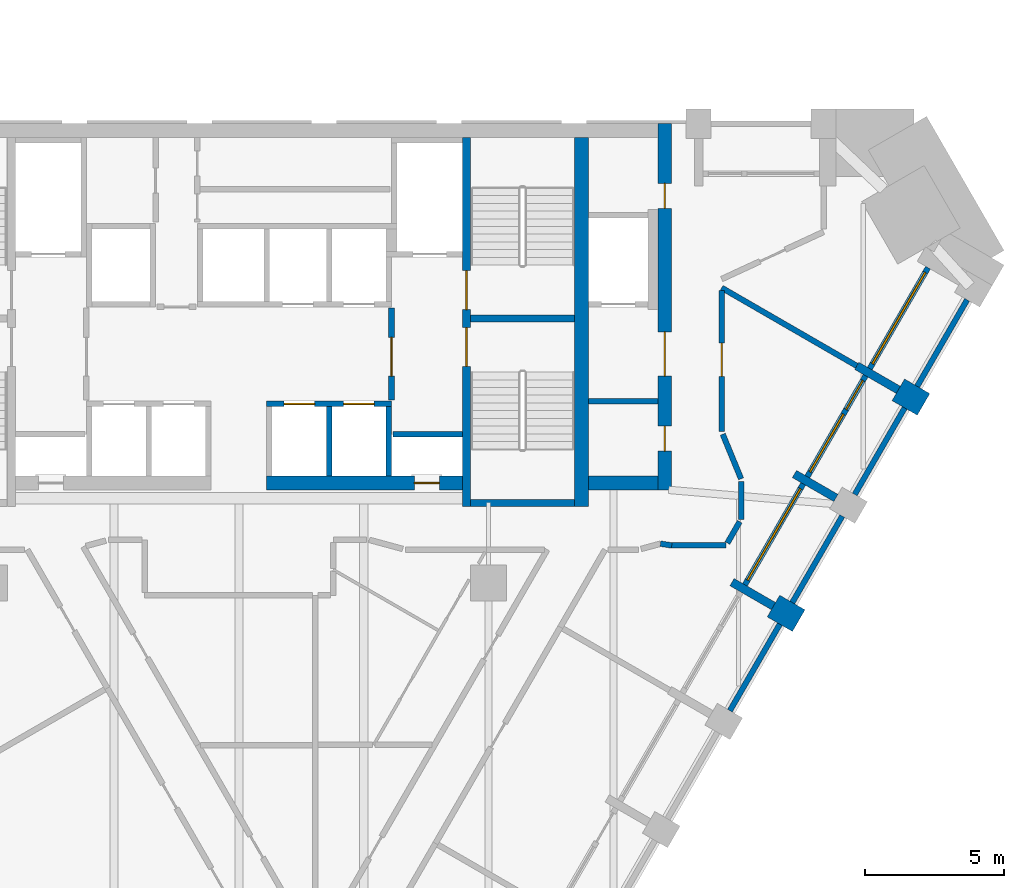
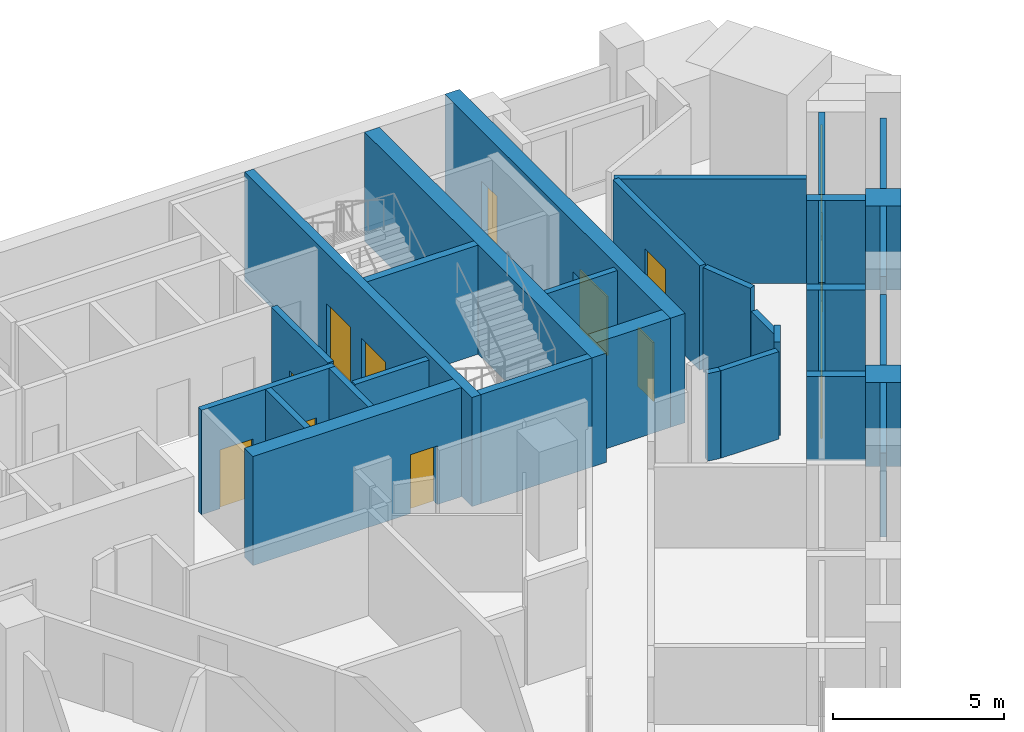
# One storey, part 7 of 10: 32 walls, 11 doors, 3 windows, 14 openings.
"""IFC4 building model written with IfcOpenShell, lengths in metres."""

from ifc_helpers import new_model, si_unit, direction, frame, frame_2d, origin, place, context, subcontext, project, spatial, rectangle, extrude, material, layer, layer_set, type_object, element, fill, save


model = new_model("IFC4")

# Units and contexts
model_context = context("Model", 3, precision=1e-05, world=origin(), true_north=direction((0.0, 1.0)))
body_context = subcontext(model_context, "Body", "Model", "MODEL_VIEW")
ifc_project = project(units=[si_unit("LENGTHUNIT", "METRE"), si_unit("AREAUNIT", "SQUARE_METRE"), si_unit("VOLUMEUNIT", "CUBIC_METRE"), si_unit("PLANEANGLEUNIT", "RADIAN"), si_unit("MASSUNIT", "GRAM", prefix="KILO")], contexts=[model_context])

# Site, building, storey
site_placement = place(None, origin())
site = spatial("IfcSite", under=ifc_project, at=site_placement, CompositionType="ELEMENT")
building_placement = place(site_placement, origin())
building = spatial("IfcBuilding", under=site, at=building_placement, Name="Calabash Gate Tower", CompositionType="ELEMENT")
storey_placement = place(building_placement, frame((0.0, 0.0, 187.5)))
storey = spatial("IfcBuildingStorey", under=building, at=storey_placement, Name="L44", CompositionType="ELEMENT", Elevation=187.5)

# Walls
ifc_material_1 = material(Name="Terracotta brick masonry, exposed face", Category="masonry")
ifc_layer_1 = layer(ifc_material_1, 1.050048828125)
ifc_layer_set_1 = layer_set([ifc_layer_1], Name="Brick end wall 1050")
wall_type_1 = type_object("IfcWallType", Name="Brick end wall 1050", PredefinedType="SOLIDWALL", material=ifc_layer_set_1)
for number, where, z_axis, x_axis, name in (
    (1, (19.26708984375, 1.665771484375, 0.0), (0.0, 0.0, 1.0), (0.866030680601, -0.499990860175, 0.0), "Brick pier S12 SE4.5"),
    (2, (24.67626953125, 8.93505859375, 0.0), (0.0, 0.0, 1.0), (-0.866030680601, 0.499990860175, 0.0), "Brick pier S12 SE4.7"),
):
    element("IfcWall", number, at=place(storey_placement, frame(where, z_axis=z_axis, x_axis=x_axis)), inside=storey, type_object=wall_type_1, Name=name, PredefinedType="SOLIDWALL", context=body_context, shape_type="SweptSolid", body=[
        extrude(rectangle(XDim=1.0498046875, YDim=0.89990234375, at=frame_2d((0.52490234375, 0.0))), origin(), (0.0, 0.0, 1.0), 3.0),
    ])
ifc_material_2 = material(Name="Terracotta brick masonry, exposed face", Category="masonry")
ifc_layer_2 = layer(ifc_material_2, 0.300048828125)
ifc_layer_set_2 = layer_set([ifc_layer_2], Name="Brick loggia cheek wall 300")
wall_type_2 = type_object("IfcWallType", Name="Brick loggia cheek wall 300", PredefinedType="SOLIDWALL", material=ifc_layer_set_2)
wall_1_placement = place(storey_placement, frame((19.26708984375, 1.665771484375, 0.0), z_axis=(0.0, 0.0, 1.0), x_axis=(-0.866013532718, 0.500020560727, 0.0)))
element("IfcWall", 3, at=wall_1_placement, inside=storey, type_object=wall_type_2, Name="Loggia cheek S12 SE4.5", PredefinedType="SOLIDWALL", context=body_context, shape_type="SweptSolid", body=[
    extrude(rectangle(XDim=1.72509765625, YDim=0.300048828125, at=frame_2d((0.862548828125, 0.0))), origin(), (0.0, 0.0, 1.0), 3.0),
])
wall_2_placement = place(storey_placement, frame((21.51708984375, 5.56298828125, 0.0), z_axis=(0.0, 0.0, 1.0), x_axis=(-0.866013532718, 0.500020560727, 0.0)))
element("IfcWall", 4, at=wall_2_placement, inside=storey, type_object=wall_type_2, Name="Loggia cheek S12 SE4.6", PredefinedType="SOLIDWALL", context=body_context, shape_type="SweptSolid", body=[
    extrude(rectangle(XDim=1.72509765625, YDim=0.300048828125, at=frame_2d((0.862548828125, 0.0))), origin(), (0.0, 0.0, 1.0), 2.9501953125),
])
wall_3_placement = place(storey_placement, frame((23.76708984375, 9.4599609375, 0.0), z_axis=(0.0, 0.0, 1.0), x_axis=(-0.866013532718, 0.500020560727, 0.0)))
element("IfcWall", 5, at=wall_3_placement, inside=storey, type_object=wall_type_2, Name="Loggia cheek S12 SE4.7", PredefinedType="SOLIDWALL", context=body_context, shape_type="SweptSolid", body=[
    extrude(rectangle(XDim=1.72509765625, YDim=0.300048828125, at=frame_2d((0.862548828125, 0.0))), origin(), (0.0, 0.0, 1.0), 3.0),
])
ifc_material_3 = material(Name="Gypsum board on steel studs, mineral wool", Category="steel")
ifc_layer_3 = layer(ifc_material_3, 0.199951171875)
ifc_layer_set_3 = layer_set([ifc_layer_3], Name="Core partition 200 gypsum board")
wall_type_3 = type_object("IfcWallType", Name="Core partition 200 gypsum board", PredefinedType="PARTITIONING", material=ifc_layer_set_3)
wall_4_placement = place(storey_placement, frame((12.60009765625, 9.052490234375, 0.0), z_axis=(0.0, 0.0, 1.0), x_axis=(1.0, 0.0, 0.0)))
element("IfcWall", 6, at=wall_4_placement, inside=storey, type_object=wall_type_3, Name="Core partition", PredefinedType="PARTITIONING", context=body_context, shape_type="SweptSolid", body=[
    extrude(rectangle(XDim=2.5, YDim=0.199951171875, at=frame_2d((1.25, 0.0))), origin(), (0.0, 0.0, 1.0), 3.72998046875),
])
ifc_material_4 = material(Name="Concrete C70/85", Category="concrete")
ifc_layer_4 = layer(ifc_material_4, 0.25)
ifc_layer_set_4 = layer_set([ifc_layer_4], Name="Core wall 250 Concrete C70/85")
wall_type_4 = type_object("IfcWallType", Name="Core wall 250 Concrete C70/85", PredefinedType="SHEAR", material=ifc_layer_set_4)
for number, where, z_axis, x_axis, name in (
    (7, (8.35009765625, 12.027587890625, 0.0), (0.0, 0.0, 1.0), (1.0, 0.0, 0.0), "Core wall Z3-MIDE L44"),
    (8, (8.35009765625, 5.377685546875, 0.0), (0.0, 0.0, 1.0), (1.0, 0.0, 0.0), "Core wall Z3-SSE L44"),
):
    element("IfcWall", number, at=place(storey_placement, frame(where, z_axis=z_axis, x_axis=x_axis)), inside=storey, type_object=wall_type_4, Name=name, PredefinedType="SHEAR", context=body_context, shape_type="SweptSolid", body=[
        extrude(rectangle(XDim=3.75, YDim=0.25, at=frame_2d((1.875, 0.0))), origin(), (0.0, 0.0, 1.0), 3.89990234375),
    ])

# Wall, openings, doors
ifc_material_5 = material(Name="Concrete C70/85", Category="concrete")
ifc_layer_5 = layer(ifc_material_5, 0.300048828125)
ifc_layer_set_5 = layer_set([ifc_layer_5], Name="Core wall 300 Concrete C70/85")
wall_type_5 = type_object("IfcWallType", Name="Core wall 300 Concrete C70/85", PredefinedType="SHEAR", material=ifc_layer_set_5)
wall_5_placement = place(storey_placement, frame((8.199951171875, 5.252685546875, 0.0), z_axis=(0.0, 0.0, 1.0), x_axis=(0.0, 1.0, 0.0)))
wall_5 = element("IfcWall", 9, at=wall_5_placement, inside=storey, type_object=wall_type_5, Name="Core wall Z3-PARTE L44", PredefinedType="SHEAR", context=body_context, shape_type="SweptSolid", body=[
    extrude(rectangle(XDim=13.2998046875, YDim=0.300048828125, at=frame_2d((6.64990234375, 0.0))), origin(), (0.0, 0.0, 1.0), 3.89990234375),
])
opening_1_placement = place(wall_5_placement, frame((7.10009765625, 0.0, 0.0)))
opening_1 = element("IfcOpeningElement", 10, at=opening_1_placement, cuts=wall_5, Name="Opening O4-017", PredefinedType="OPENING", context=body_context, shape_type="SweptSolid", body=[
    extrude(rectangle(XDim=1.39990234375, YDim=2.10009765625, at=frame_2d((0.699951171875, 1.050048828125))), frame((0.0, 0.159912109375, 0.0), z_axis=(0.0, -1.0, 0.0), x_axis=(1.0, 0.0, 0.0)), (0.0, 0.0, 1.0), 0.320068359375),
])
opening_2_placement = place(wall_5_placement, frame((5.050048828125, 0.0, 0.0)))
opening_2 = element("IfcOpeningElement", 11, at=opening_2_placement, cuts=wall_5, Name="Opening O4-018", PredefinedType="OPENING", context=body_context, shape_type="SweptSolid", body=[
    extrude(rectangle(XDim=1.39990234375, YDim=2.10009765625, at=frame_2d((0.699951171875, 1.050048828125))), frame((0.0, 0.159912109375, 0.0), z_axis=(0.0, -1.0, 0.0), x_axis=(1.0, 0.0, 0.0)), (0.0, 0.0, 1.0), 0.320068359375),
])
ifc_material_6 = material(Name="Steel fire door set with fire-resisting glazing", Category="steel")
door_type_1 = type_object("IfcDoorType", Name="Fire door D05 1400x2100 FD90", OperationType="NOTDEFINED", PredefinedType="DOOR", material=ifc_material_6)
door_1_placement = place(opening_1_placement, origin())
door_1 = element("IfcDoor", 12, at=door_1_placement, inside=storey, type_object=door_type_1, Name="Exit stair door ST3", OperationType="SINGLE_SWING_RIGHT", OverallHeight=2.10009765625, OverallWidth=1.39990234375, PredefinedType="DOOR", context=body_context, shape_type="SweptSolid", body=[
    extrude(rectangle(XDim=1.39990234375, YDim=2.10009765625, at=frame_2d((0.699951171875, 1.050048828125))), frame((0.0, 0.02490234375, 0.0), z_axis=(0.0, -1.0, 0.0), x_axis=(1.0, 0.0, 0.0)), (0.0, 0.0, 1.0), 0.050048828125),
])
fill(opening_1, door_1)
door_2_placement = place(opening_2_placement, origin())
door_2 = element("IfcDoor", 13, at=door_2_placement, inside=storey, type_object=door_type_1, Name="Exit stair door ST4", OperationType="SINGLE_SWING_LEFT", OverallHeight=2.10009765625, OverallWidth=1.39990234375, PredefinedType="DOOR", context=body_context, shape_type="SweptSolid", body=[
    extrude(rectangle(XDim=1.39990234375, YDim=2.10009765625, at=frame_2d((0.699951171875, 1.050048828125))), frame((0.0, 0.02490234375, 0.0), z_axis=(0.0, -1.0, 0.0), x_axis=(1.0, 0.0, 0.0)), (0.0, 0.0, 1.0), 0.050048828125),
])
fill(opening_2, door_2)

# Wall
ifc_material_7 = material(Name="Concrete C70/85", Category="concrete")
ifc_layer_6 = layer(ifc_material_7, 0.5)
ifc_layer_set_6 = layer_set([ifc_layer_6], Name="Core wall 500 Concrete C70/85")
wall_type_6 = type_object("IfcWallType", Name="Core wall 500 Concrete C70/85", PredefinedType="SHEAR", material=ifc_layer_set_6)
wall_6_placement = place(storey_placement, frame((12.35009765625, 5.252685546875, 0.0), z_axis=(0.0, 0.0, 1.0), x_axis=(0.0, 1.0, 0.0)))
element("IfcWall", 14, at=wall_6_placement, inside=storey, type_object=wall_type_6, Name="Core wall Z3-COLE L44", PredefinedType="SHEAR", context=body_context, shape_type="SweptSolid", body=[
    extrude(rectangle(XDim=13.2998046875, YDim=0.5, at=frame_2d((6.64990234375, 0.0))), origin(), (0.0, 0.0, 1.0), 3.89990234375),
])

# Wall, opening, door
wall_7_placement = place(storey_placement, frame((1.0, 6.1025390625, 0.0), z_axis=(0.0, 0.0, 1.0), x_axis=(1.0, 0.0, 0.0)))
wall_7 = element("IfcWall", 15, at=wall_7_placement, inside=storey, type_object=wall_type_6, Name="Core wall Z3-SB L44", PredefinedType="SHEAR", context=body_context, shape_type="SweptSolid", body=[
    extrude(rectangle(XDim=7.050048828125, YDim=0.5, at=frame_2d((3.52490234375, 0.0))), origin(), (0.0, 0.0, 1.0), 3.89990234375),
])
opening_3_placement = place(wall_7_placement, frame((5.324951171875, 0.0, 0.0)))
opening_3 = element("IfcOpeningElement", 16, at=opening_3_placement, cuts=wall_7, Name="Opening O4-013", PredefinedType="OPENING", context=body_context, shape_type="SweptSolid", body=[
    extrude(rectangle(XDim=0.89990234375, YDim=2.10009765625, at=frame_2d((0.449951171875, 1.050048828125))), frame((0.0, 0.260009765625, 0.0), z_axis=(0.0, -1.0, 0.0), x_axis=(1.0, 0.0, 0.0)), (0.0, 0.0, 1.0), 0.52001953125),
])
ifc_material_8 = material(Name="Steel fire door set with fire-resisting glazing", Category="steel")
door_type_2 = type_object("IfcDoorType", Name="Fire door D07 900x2100 FD90", OperationType="NOTDEFINED", PredefinedType="DOOR", material=ifc_material_8)
door_3_placement = place(opening_3_placement, origin())
door_3 = element("IfcDoor", 17, at=door_3_placement, inside=storey, type_object=door_type_2, Name="Mechanical Riser E door", OperationType="SINGLE_SWING_RIGHT", OverallHeight=2.10009765625, OverallWidth=0.89990234375, PredefinedType="DOOR", context=body_context, shape_type="SweptSolid", body=[
    extrude(rectangle(XDim=0.89990234375, YDim=2.10009765625, at=frame_2d((0.449951171875, 1.050048828125))), frame((0.0, 0.02490234375, 0.0), z_axis=(0.0, -1.0, 0.0), x_axis=(1.0, 0.0, 0.0)), (0.0, 0.0, 1.0), 0.050048828125),
])
fill(opening_3, door_3)

# Wall
wall_8_placement = place(storey_placement, frame((12.60009765625, 6.1025390625, 0.0), z_axis=(0.0, 0.0, 1.0), x_axis=(1.0, 0.0, 0.0)))
element("IfcWall", 18, at=wall_8_placement, inside=storey, type_object=wall_type_6, Name="Core wall Z3-SE L44", PredefinedType="SHEAR", context=body_context, shape_type="SweptSolid", body=[
    extrude(rectangle(XDim=2.5, YDim=0.5, at=frame_2d((1.25, 0.0))), origin(), (0.0, 0.0, 1.0), 3.89990234375),
])

# Wall, openings, doors
wall_9_placement = place(storey_placement, frame((15.35009765625, 5.8525390625, 0.0), z_axis=(0.0, 0.0, 1.0), x_axis=(0.0, 1.0, 0.0)))
wall_9 = element("IfcWall", 19, at=wall_9_placement, inside=storey, type_object=wall_type_6, Name="Core wall Z3-ENDE L44", PredefinedType="SHEAR", context=body_context, shape_type="SweptSolid", body=[
    extrude(rectangle(XDim=13.199951171875, YDim=0.5, at=frame_2d((6.60009765625, 0.0))), origin(), (0.0, 0.0, 1.0), 3.89990234375),
])
opening_4_placement = place(wall_9_placement, frame((4.10009765625, 0.0, 0.0)))
opening_4 = element("IfcOpeningElement", 20, at=opening_4_placement, cuts=wall_9, Name="Opening O4-003", PredefinedType="OPENING", context=body_context, shape_type="SweptSolid", body=[
    extrude(rectangle(XDim=1.60009765625, YDim=2.10009765625, at=frame_2d((0.800048828125, 1.050048828125))), frame((0.0, 0.260009765625, 0.0), z_axis=(0.0, -1.0, 0.0), x_axis=(1.0, 0.0, 0.0)), (0.0, 0.0, 1.0), 0.52001953125),
])
opening_5_placement = place(wall_9_placement, frame((1.39990234375, 0.0, 0.0)))
opening_5 = element("IfcOpeningElement", 21, at=opening_5_placement, cuts=wall_9, Name="Opening O4-001", PredefinedType="OPENING", context=body_context, shape_type="SweptSolid", body=[
    extrude(rectangle(XDim=0.89990234375, YDim=2.10009765625, at=frame_2d((0.449951171875, 1.050048828125))), frame((0.0, 0.260009765625, 0.0), z_axis=(0.0, -1.0, 0.0), x_axis=(1.0, 0.0, 0.0)), (0.0, 0.0, 1.0), 0.52001953125),
])
opening_6_placement = place(wall_9_placement, frame((10.14990234375, 0.0, 0.0)))
opening_6 = element("IfcOpeningElement", 22, at=opening_6_placement, cuts=wall_9, Name="Opening O4-002", PredefinedType="OPENING", context=body_context, shape_type="SweptSolid", body=[
    extrude(rectangle(XDim=0.89990234375, YDim=2.10009765625, at=frame_2d((0.449951171875, 1.050048828125))), frame((0.0, 0.260009765625, 0.0), z_axis=(0.0, -1.0, 0.0), x_axis=(1.0, 0.0, 0.0)), (0.0, 0.0, 1.0), 0.52001953125),
])
ifc_material_9 = material(Name="Steel fire door set with fire-resisting glazing", Category="steel")
door_type_3 = type_object("IfcDoorType", Name="Double fire door D08 1600x2100 FD60", OperationType="DOUBLE_DOOR_SINGLE_SWING", PredefinedType="DOOR", material=ifc_material_9)
door_4_placement = place(opening_4_placement, origin())
door_4 = element("IfcDoor", 23, at=door_4_placement, inside=storey, type_object=door_type_3, Name="Service Lift Lobby E door", OperationType="DOUBLE_DOOR_SINGLE_SWING", OverallHeight=2.10009765625, OverallWidth=1.60009765625, PredefinedType="DOOR", context=body_context, shape_type="SweptSolid", body=[
    extrude(rectangle(XDim=1.60009765625, YDim=2.10009765625, at=frame_2d((0.800048828125, 1.050048828125))), frame((0.0, 0.02490234375, 0.0), z_axis=(0.0, -1.0, 0.0), x_axis=(1.0, 0.0, 0.0)), (0.0, 0.0, 1.0), 0.050048828125),
])
fill(opening_4, door_4)
ifc_material_10 = material(Name="Steel fire door set with fire-resisting glazing", Category="steel")
door_type_4 = type_object("IfcDoorType", Name="Fire door D06 900x2100 FD60", OperationType="NOTDEFINED", PredefinedType="DOOR", material=ifc_material_10)
door_5_placement = place(opening_5_placement, origin())
door_5 = element("IfcDoor", 24, at=door_5_placement, inside=storey, type_object=door_type_4, Name="Tenant Pantry door", OperationType="SINGLE_SWING_RIGHT", OverallHeight=2.10009765625, OverallWidth=0.89990234375, PredefinedType="DOOR", context=body_context, shape_type="SweptSolid", body=[
    extrude(rectangle(XDim=0.89990234375, YDim=2.10009765625, at=frame_2d((0.449951171875, 1.050048828125))), frame((0.0, 0.02490234375, 0.0), z_axis=(0.0, -1.0, 0.0), x_axis=(1.0, 0.0, 0.0)), (0.0, 0.0, 1.0), 0.050048828125),
])
fill(opening_5, door_5)
door_6_placement = place(opening_6_placement, origin())
door_6 = element("IfcDoor", 25, at=door_6_placement, inside=storey, type_object=door_type_4, Name="Cleaner's Store door", OperationType="SINGLE_SWING_LEFT", OverallHeight=2.10009765625, OverallWidth=0.89990234375, PredefinedType="DOOR", context=body_context, shape_type="SweptSolid", body=[
    extrude(rectangle(XDim=0.89990234375, YDim=2.10009765625, at=frame_2d((0.449951171875, 1.050048828125))), frame((0.0, 0.02490234375, 0.0), z_axis=(0.0, -1.0, 0.0), x_axis=(1.0, 0.0, 0.0)), (0.0, 0.0, 1.0), 0.050048828125),
])
fill(opening_6, door_6)

# Walls
ifc_material_11 = material(Name="Gypsum board on steel studs, mineral wool", Category="steel")
ifc_layer_7 = layer(ifc_material_11, 0.199951171875)
ifc_layer_set_7 = layer_set([ifc_layer_7], Name="Partition 200 gypsum board EI 60")
wall_type_7 = type_object("IfcWallType", Name="Partition 200 gypsum board EI 60", PredefinedType="PARTITIONING", material=ifc_layer_set_7)
wall_10_placement = place(storey_placement, frame((15.193359375, 3.91455078125, 0.0), z_axis=(0.0, 0.0, 1.0), x_axis=(0.988399116328, -0.15187885581, 0.0)))
element("IfcWall", 26, at=wall_10_placement, inside=storey, type_object=wall_type_7, Name="Partition", PredefinedType="PARTITIONING", context=body_context, shape_type="SweptSolid", body=[
    extrude(rectangle(XDim=0.41162109375, YDim=0.199951171875, at=frame_2d((0.205810546875, 0.0))), origin(), (0.0, 0.0, 1.0), 3.1279296875),
])
wall_11_placement = place(storey_placement, frame((15.60009765625, 3.85205078125, 0.0), z_axis=(0.0, 0.0, 1.0), x_axis=(1.0, 0.0, 0.0)))
element("IfcWall", 27, at=wall_11_placement, inside=storey, type_object=wall_type_7, Name="Partition", PredefinedType="PARTITIONING", context=body_context, shape_type="SweptSolid", body=[
    extrude(rectangle(XDim=1.956298828125, YDim=0.199951171875, at=frame_2d((0.97802734375, 0.0))), origin(), (0.0, 0.0, 1.0), 3.1279296875),
])
wall_12_placement = place(storey_placement, frame((17.606201171875, 3.938720703125, 0.0), z_axis=(0.0, 0.0, 1.0), x_axis=(0.500071473339, 0.8659841347, 0.0)))
element("IfcWall", 28, at=wall_12_placement, inside=storey, type_object=wall_type_7, Name="Partition", PredefinedType="PARTITIONING", context=body_context, shape_type="SweptSolid", body=[
    extrude(rectangle(XDim=0.887939453125, YDim=0.199951171875, at=frame_2d((0.44384765625, 0.0))), origin(), (0.0, 0.0, 1.0), 3.33154296875),
])
wall_13_placement = place(storey_placement, frame((18.1005859375, 4.794189453125, 0.0), z_axis=(0.0, 0.0, 1.0), x_axis=(0.0, 1.0, 0.0)))
element("IfcWall", 29, at=wall_13_placement, inside=storey, type_object=wall_type_7, Name="Partition", PredefinedType="PARTITIONING", context=body_context, shape_type="SweptSolid", body=[
    extrude(rectangle(XDim=1.3583984375, YDim=0.199951171875, at=frame_2d((0.67919921875, 0.0))), origin(), (0.0, 0.0, 1.0), 2.9501953125),
])
wall_14_placement = place(storey_placement, frame((17.438720703125, 7.860107421875, 0.0), z_axis=(0.0, 0.0, 1.0), x_axis=(0.380742741509, -0.924681007044, 0.0)))
element("IfcWall", 30, at=wall_14_placement, inside=storey, type_object=wall_type_7, Name="Partition", PredefinedType="PARTITIONING", context=body_context, shape_type="SweptSolid", body=[
    extrude(rectangle(XDim=1.73828125, YDim=0.199951171875, at=frame_2d((0.869140625, 0.0))), origin(), (0.0, 0.0, 1.0), 3.72998046875),
])

# Wall, opening, door
wall_15_placement = place(storey_placement, frame((17.400390625, 7.95263671875, 0.0), z_axis=(0.0, 0.0, 1.0), x_axis=(0.000336263612, 0.999999943463, 0.0)))
wall_15 = element("IfcWall", 31, at=wall_15_placement, inside=storey, type_object=wall_type_7, Name="Partition", PredefinedType="PARTITIONING", context=body_context, shape_type="SweptSolid", body=[
    extrude(rectangle(XDim=5.082275390625, YDim=0.199951171875, at=frame_2d((2.541015625, 0.0))), origin(), (0.0, 0.0, 1.0), 3.72998046875),
])
opening_7_placement = place(wall_15_placement, frame((1.992431640625, 0.0, 0.0)))
opening_7 = element("IfcOpeningElement", 32, at=opening_7_placement, cuts=wall_15, Name="Opening 42-44-009", PredefinedType="OPENING", context=body_context, shape_type="SweptSolid", body=[
    extrude(rectangle(XDim=1.199951171875, YDim=2.39990234375, at=frame_2d((0.60009765625, 1.199951171875))), frame((0.0, 0.10986328125, 0.0), z_axis=(0.0, -1.0, 0.0), x_axis=(1.0, 0.0, 0.0)), (0.0, 0.0, 1.0), 0.219970703125),
])
ifc_material_12 = material(Name="Steel fire door set with fire-resisting glazing", Category="steel")
door_type_5 = type_object("IfcDoorType", Name="OD3 Boardroom door 1200x2400", OperationType="NOTDEFINED", PredefinedType="DOOR", material=ifc_material_12)
door_7_placement = place(opening_7_placement, origin())
door_7 = element("IfcDoor", 33, at=door_7_placement, inside=storey, type_object=door_type_5, Name="Boardroom door", OperationType="SINGLE_SWING_RIGHT", OverallHeight=2.39990234375, OverallWidth=1.199951171875, PredefinedType="DOOR", context=body_context, shape_type="SweptSolid", body=[
    extrude(rectangle(XDim=1.199951171875, YDim=2.39990234375, at=frame_2d((0.60009765625, 1.199951171875))), frame((0.0, 0.02490234375, 0.0), z_axis=(0.0, -1.0, 0.0), x_axis=(1.0, 0.0, 0.0)), (0.0, 0.0, 1.0), 0.050048828125),
])
fill(opening_7, door_7)

# Walls
wall_16_placement = place(storey_placement, frame((17.400634765625, 13.1376953125, 0.0), z_axis=(0.0, 0.0, 1.0), x_axis=(0.865889294905, -0.500235673427, 0.0)))
element("IfcWall", 34, at=wall_16_placement, inside=storey, type_object=wall_type_7, Name="Partition", PredefinedType="PARTITIONING", context=body_context, shape_type="SweptSolid", body=[
    extrude(rectangle(XDim=5.627197265625, YDim=0.199951171875, at=frame_2d((2.8134765625, 0.0))), origin(), (0.0, 0.0, 1.0), 3.72998046875),
])
ifc_material_13 = material(Name="Concrete C40/50", Category="concrete")
ifc_layer_8 = layer(ifc_material_13, 0.199951171875)
ifc_layer_set_8 = layer_set([ifc_layer_8], Name="Shaft wall 200 Concrete C40/50")
wall_type_8 = type_object("IfcWallType", Name="Shaft wall 200 Concrete C40/50", PredefinedType="SOLIDWALL", material=ifc_layer_set_8)
for number, where, z_axis, x_axis, name in (
    (35, (3.25, 6.3525390625, 0.0), (0.0, 0.0, 1.0), (0.0, 1.0, 0.0), "Shaft wall"),
    (36, (5.39990234375, 6.3525390625, 0.0), (0.0, 0.0, 1.0), (0.0, 1.0, 0.0), "Shaft wall"),
    (37, (5.550048828125, 7.8525390625, 0.0), (0.0, 0.0, 1.0), (1.0, 0.0, 0.0), "Shaft wall"),
):
    element("IfcWall", number, at=place(storey_placement, frame(where, z_axis=z_axis, x_axis=x_axis)), inside=storey, type_object=wall_type_8, Name=name, PredefinedType="SOLIDWALL", context=body_context, shape_type="SweptSolid", body=[
        extrude(rectangle(XDim=2.5, YDim=0.199951171875, at=frame_2d((1.25, 0.0))), origin(), (0.0, 0.0, 1.0), 3.72998046875),
    ])

# Wall, openings, doors
wall_17_placement = place(storey_placement, frame((1.0, 8.95263671875, 0.0), z_axis=(0.0, 0.0, 1.0), x_axis=(1.0, 0.0, 0.0)))
wall_17 = element("IfcWall", 38, at=wall_17_placement, inside=storey, type_object=wall_type_8, Name="Shaft wall", PredefinedType="SOLIDWALL", context=body_context, shape_type="SweptSolid", body=[
    extrude(rectangle(XDim=4.5, YDim=0.199951171875, at=frame_2d((2.25, 0.0))), origin(), (0.0, 0.0, 1.0), 3.72998046875),
])
opening_8_placement = place(wall_17_placement, frame((0.625, 0.0, 0.0)))
opening_8 = element("IfcOpeningElement", 39, at=opening_8_placement, cuts=wall_17, Name="Opening LD-HR3", PredefinedType="OPENING", context=body_context, shape_type="SweptSolid", body=[
    extrude(rectangle(XDim=1.10009765625, YDim=2.10009765625, at=frame_2d((0.550048828125, 1.050048828125))), frame((0.0, 0.10986328125, 0.0), z_axis=(0.0, -1.0, 0.0), x_axis=(1.0, 0.0, 0.0)), (0.0, 0.0, 1.0), 0.219970703125),
])
opening_9_placement = place(wall_17_placement, frame((2.77490234375, 0.0, 0.0)))
opening_9 = element("IfcOpeningElement", 40, at=opening_9_placement, cuts=wall_17, Name="Opening LD-HR4", PredefinedType="OPENING", context=body_context, shape_type="SweptSolid", body=[
    extrude(rectangle(XDim=1.10009765625, YDim=2.10009765625, at=frame_2d((0.550048828125, 1.050048828125))), frame((0.0, 0.10986328125, 0.0), z_axis=(0.0, -1.0, 0.0), x_axis=(1.0, 0.0, 0.0)), (0.0, 0.0, 1.0), 0.219970703125),
])
ifc_material_14 = material(Name="Stainless steel sliding door leaves", Category="steel")
door_type_6 = type_object("IfcDoorType", Name="Lift landing door LS1 1100x2100 FD90", OperationType="DOUBLE_DOOR_SLIDING", PredefinedType="DOOR", material=ifc_material_14)
door_8_placement = place(opening_8_placement, origin())
door_8 = element("IfcDoor", 41, at=door_8_placement, inside=storey, type_object=door_type_6, Name="Lift landing door HR3", OperationType="DOUBLE_DOOR_SLIDING", OverallHeight=2.10009765625, OverallWidth=1.10009765625, PredefinedType="DOOR", context=body_context, shape_type="SweptSolid", body=[
    extrude(rectangle(XDim=1.10009765625, YDim=2.10009765625, at=frame_2d((0.550048828125, 1.050048828125))), frame((0.0, 0.02490234375, 0.0), z_axis=(0.0, -1.0, 0.0), x_axis=(1.0, 0.0, 0.0)), (0.0, 0.0, 1.0), 0.050048828125),
])
fill(opening_8, door_8)
door_9_placement = place(opening_9_placement, origin())
door_9 = element("IfcDoor", 42, at=door_9_placement, inside=storey, type_object=door_type_6, Name="Lift landing door HR4", OperationType="DOUBLE_DOOR_SLIDING", OverallHeight=2.10009765625, OverallWidth=1.10009765625, PredefinedType="DOOR", context=body_context, shape_type="SweptSolid", body=[
    extrude(rectangle(XDim=1.10009765625, YDim=2.10009765625, at=frame_2d((0.550048828125, 1.050048828125))), frame((0.0, 0.02490234375, 0.0), z_axis=(0.0, -1.0, 0.0), x_axis=(1.0, 0.0, 0.0)), (0.0, 0.0, 1.0), 0.050048828125),
])
fill(opening_9, door_9)

# Wall, opening, door
wall_18_placement = place(storey_placement, frame((5.5, 9.1025390625, 0.0), z_axis=(0.0, 0.0, 1.0), x_axis=(0.0, 1.0, 0.0)))
wall_18 = element("IfcWall", 43, at=wall_18_placement, inside=storey, type_object=wall_type_8, Name="Shaft wall", PredefinedType="SOLIDWALL", context=body_context, shape_type="SweptSolid", body=[
    extrude(rectangle(XDim=3.300048828125, YDim=0.199951171875, at=frame_2d((1.64990234375, 0.0))), origin(), (0.0, 0.0, 1.0), 3.72998046875),
])
opening_10_placement = place(wall_18_placement, frame((0.85009765625, 0.0, 0.0)))
opening_10 = element("IfcOpeningElement", 44, at=opening_10_placement, cuts=wall_18, Name="Opening O4-008", PredefinedType="OPENING", context=body_context, shape_type="SweptSolid", body=[
    extrude(rectangle(XDim=1.39990234375, YDim=2.10009765625, at=frame_2d((0.699951171875, 1.050048828125))), frame((0.0, 0.10986328125, 0.0), z_axis=(0.0, -1.0, 0.0), x_axis=(1.0, 0.0, 0.0)), (0.0, 0.0, 1.0), 0.219970703125),
])
door_10_placement = place(opening_10_placement, origin())
door_10 = element("IfcDoor", 45, at=door_10_placement, inside=storey, type_object=door_type_1, Name="Firefighting Lobby E door", OperationType="SINGLE_SWING_LEFT", OverallHeight=2.10009765625, OverallWidth=1.39990234375, PredefinedType="DOOR", context=body_context, shape_type="SweptSolid", body=[
    extrude(rectangle(XDim=1.39990234375, YDim=2.10009765625, at=frame_2d((0.699951171875, 1.050048828125))), frame((0.0, 0.02490234375, 0.0), z_axis=(0.0, -1.0, 0.0), x_axis=(1.0, 0.0, 0.0)), (0.0, 0.0, 1.0), 0.050048828125),
])
fill(opening_10, door_10)

# Walls
ifc_material_15 = material(Name="Terracotta brick masonry, perforated", Category="masonry")
ifc_layer_9 = layer(ifc_material_15, 0.199951171875)
ifc_layer_set_9 = layer_set([ifc_layer_9], Name="Terracotta jaali screen B")
wall_type_9 = type_object("IfcWallType", Name="Terracotta jaali screen B", PredefinedType="SOLIDWALL", material=ifc_layer_set_9)
for number, where, z_axis, x_axis, name in (
    (46, (17.69677734375, -2.10400390625, 0.0), (0.0, 0.0, 1.0), (0.499961193289, 0.866047807691, 0.0), "SCREEN B S12 SE4.5"),
    (47, (19.94677734375, 1.79296875, 0.0), (0.0, 0.0, 1.0), (0.499961193289, 0.866047807691, 0.0), "SCREEN B S12 SE4.6"),
    (48, (22.19677734375, 5.690185546875, 0.0), (0.0, 0.0, 1.0), (0.499961193289, 0.866047807691, 0.0), "SCREEN B S12 SE4.7"),
):
    element("IfcWall", number, at=place(storey_placement, frame(where, z_axis=z_axis, x_axis=x_axis)), inside=storey, type_object=wall_type_9, Name=name, PredefinedType="SOLIDWALL", context=body_context, shape_type="SweptSolid", body=[
        extrude(rectangle(XDim=3.599853515625, YDim=0.199951171875, at=frame_2d((1.7998046875, 0.0))), origin(), (0.0, 0.0, 1.0), 3.0),
    ])
wall_19_placement = place(storey_placement, frame((24.44677734375, 9.587158203125, 0.0), z_axis=(0.0, 0.0, 1.0), x_axis=(0.499931829785, 0.866064758299, 0.0)))
element("IfcWall", 49, at=wall_19_placement, inside=storey, type_object=wall_type_9, Name="SCREEN B S12 SE4.8", PredefinedType="SOLIDWALL", context=body_context, shape_type="SweptSolid", body=[
    extrude(rectangle(XDim=3.60009765625, YDim=0.199951171875, at=frame_2d((1.800048828125, 0.0))), origin(), (0.0, 0.0, 1.0), 3.0),
])

# Wall, opening, window
ifc_material_16 = material(Name="Aluminium framed window wall with insulated spandrel", Category="aluminium")
ifc_layer_10 = layer(ifc_material_16, 0.199951171875)
ifc_layer_set_10 = layer_set([ifc_layer_10], Name="Window wall 200")
wall_type_10 = type_object("IfcWallType", Name="Window wall 200", PredefinedType="ELEMENTEDWALL", material=ifc_layer_set_10)
wall_20_placement = place(storey_placement, frame((18.23779296875, 2.433349609375, 0.0), z_axis=(0.0, 0.0, 1.0), x_axis=(0.500027713859, 0.866009402589, 0.0)))
wall_20 = element("IfcWall", 50, at=wall_20_placement, inside=storey, type_object=wall_type_10, Name="Window wall S12 SE4.6", PredefinedType="ELEMENTEDWALL", context=body_context, shape_type="SweptSolid", body=[
    extrude(rectangle(XDim=4.199951171875, YDim=0.199951171875, at=frame_2d((2.10009765625, 0.0))), origin(), (0.0, 0.0, 1.0), 2.9501953125),
])
opening_11_placement = place(wall_20_placement, frame((0.199951171875, 0.0, 0.449951171875)))
opening_11 = element("IfcOpeningElement", 51, at=opening_11_placement, cuts=wall_20, Name="Opening OW2", PredefinedType="OPENING", context=body_context, shape_type="SweptSolid", body=[
    extrude(rectangle(XDim=3.800048828125, YDim=2.25, at=frame_2d((1.89990234375, 1.125))), frame((0.0, 0.10986328125, 0.0), z_axis=(0.0, -1.0, 0.0), x_axis=(1.0, 0.0, 0.0)), (0.0, 0.0, 1.0), 0.219970703125),
])
ifc_material_17 = material(Name="Anodised aluminium frame, bronze finish, impact-rated laminated clear glazing", Category="aluminium")
window_type_1 = type_object("IfcWindowType", Name="Window OW2 3800x2250", PartitioningType="TRIPLE_PANEL_VERTICAL", PredefinedType="WINDOW", material=ifc_material_17)
window_1_placement = place(opening_11_placement, origin())
window_1 = element("IfcWindow", 52, at=window_1_placement, inside=storey, type_object=window_type_1, Name="Window OW2 S12 SE4.6", OverallHeight=2.25, OverallWidth=3.800048828125, PartitioningType="SINGLE_PANEL", PredefinedType="WINDOW", context=body_context, shape_type="SweptSolid", body=[
    extrude(rectangle(XDim=3.800048828125, YDim=2.25, at=frame_2d((1.89990234375, 1.125))), frame((0.0, 0.030029296875, 0.0), z_axis=(0.0, -1.0, 0.0), x_axis=(1.0, 0.0, 0.0)), (0.0, 0.0, 1.0), 0.06005859375),
])
fill(opening_11, window_1)

# Wall, openings, door, window
wall_21_placement = place(storey_placement, frame((20.48779296875, 6.330322265625, 0.0), z_axis=(0.0, 0.0, 1.0), x_axis=(0.500002543286, 0.866023935413, 0.0)))
wall_21 = element("IfcWall", 53, at=wall_21_placement, inside=storey, type_object=wall_type_10, Name="Window wall S12 SE4.7", PredefinedType="ELEMENTEDWALL", context=body_context, shape_type="SweptSolid", body=[
    extrude(rectangle(XDim=4.2001953125, YDim=0.199951171875, at=frame_2d((2.10009765625, 0.0))), origin(), (0.0, 0.0, 1.0), 3.0),
])
opening_12_placement = place(wall_21_placement, frame((0.199951171875, 0.0, 0.449951171875)))
opening_12 = element("IfcOpeningElement", 54, at=opening_12_placement, cuts=wall_21, Name="Opening OW1", PredefinedType="OPENING", context=body_context, shape_type="SweptSolid", body=[
    extrude(rectangle(XDim=2.39990234375, YDim=2.25, at=frame_2d((1.199951171875, 1.125))), frame((0.0, 0.10986328125, 0.0), z_axis=(0.0, -1.0, 0.0), x_axis=(1.0, 0.0, 0.0)), (0.0, 0.0, 1.0), 0.219970703125),
])
opening_13_placement = place(wall_21_placement, frame((2.800048828125, 0.0, 0.0)))
opening_13 = element("IfcOpeningElement", 55, at=opening_13_placement, cuts=wall_21, Name="Opening O4-024", PredefinedType="OPENING", context=body_context, shape_type="SweptSolid", body=[
    extrude(rectangle(XDim=1.199951171875, YDim=2.699951171875, at=frame_2d((0.60009765625, 1.35009765625))), frame((0.0, 0.10986328125, 0.0), z_axis=(0.0, -1.0, 0.0), x_axis=(1.0, 0.0, 0.0)), (0.0, 0.0, 1.0), 0.219970703125),
])
ifc_material_18 = material(Name="Anodised aluminium frame, bronze finish, impact-rated laminated clear glazing", Category="aluminium")
door_type_7 = type_object("IfcDoorType", Name="Loggia door DO1 1200x2700", OperationType="SLIDING_TO_LEFT", PredefinedType="DOOR", material=ifc_material_18)
door_11_placement = place(opening_13_placement, origin())
door_11 = element("IfcDoor", 56, at=door_11_placement, inside=storey, type_object=door_type_7, Name="Loggia door S12 SE4.7", OperationType="SINGLE_SWING_LEFT", OverallHeight=2.699951171875, OverallWidth=1.199951171875, PredefinedType="DOOR", context=body_context, shape_type="SweptSolid", body=[
    extrude(rectangle(XDim=1.199951171875, YDim=2.699951171875, at=frame_2d((0.60009765625, 1.35009765625))), frame((0.0, 0.02490234375, 0.0), z_axis=(0.0, -1.0, 0.0), x_axis=(1.0, 0.0, 0.0)), (0.0, 0.0, 1.0), 0.050048828125),
])
fill(opening_13, door_11)
ifc_material_19 = material(Name="Anodised aluminium frame, bronze finish, impact-rated laminated clear glazing", Category="aluminium")
window_type_2 = type_object("IfcWindowType", Name="Window OW1 2400x2250", PartitioningType="DOUBLE_PANEL_VERTICAL", PredefinedType="WINDOW", material=ifc_material_19)
window_2_placement = place(opening_12_placement, origin())
window_2 = element("IfcWindow", 57, at=window_2_placement, inside=storey, type_object=window_type_2, Name="Window OW1 S12 SE4.7", OverallHeight=2.25, OverallWidth=2.39990234375, PartitioningType="SINGLE_PANEL", PredefinedType="WINDOW", context=body_context, shape_type="SweptSolid", body=[
    extrude(rectangle(XDim=2.39990234375, YDim=2.25, at=frame_2d((1.199951171875, 1.125))), frame((0.0, 0.030029296875, 0.0), z_axis=(0.0, -1.0, 0.0), x_axis=(1.0, 0.0, 0.0)), (0.0, 0.0, 1.0), 0.06005859375),
])
fill(opening_12, window_2)

# Wall, opening, window
wall_22_placement = place(storey_placement, frame((22.73779296875, 10.2275390625, 0.0), z_axis=(0.0, 0.0, 1.0), x_axis=(0.500027713859, 0.866009402589, 0.0)))
wall_22 = element("IfcWall", 58, at=wall_22_placement, inside=storey, type_object=wall_type_10, Name="Window wall S12 SE4.8", PredefinedType="ELEMENTEDWALL", context=body_context, shape_type="SweptSolid", body=[
    extrude(rectangle(XDim=4.199951171875, YDim=0.199951171875, at=frame_2d((2.10009765625, 0.0))), origin(), (0.0, 0.0, 1.0), 3.0),
])
opening_14_placement = place(wall_22_placement, frame((0.199951171875, 0.0, 0.449951171875)))
opening_14 = element("IfcOpeningElement", 59, at=opening_14_placement, cuts=wall_22, Name="Opening OW2", PredefinedType="OPENING", context=body_context, shape_type="SweptSolid", body=[
    extrude(rectangle(XDim=3.800048828125, YDim=2.25, at=frame_2d((1.89990234375, 1.125))), frame((0.0, 0.10986328125, 0.0), z_axis=(0.0, -1.0, 0.0), x_axis=(1.0, 0.0, 0.0)), (0.0, 0.0, 1.0), 0.219970703125),
])
window_3_placement = place(opening_14_placement, origin())
window_3 = element("IfcWindow", 60, at=window_3_placement, inside=storey, type_object=window_type_1, Name="Window OW2 S12 SE4.8", OverallHeight=2.25, OverallWidth=3.800048828125, PartitioningType="SINGLE_PANEL", PredefinedType="WINDOW", context=body_context, shape_type="SweptSolid", body=[
    extrude(rectangle(XDim=3.800048828125, YDim=2.25, at=frame_2d((1.89990234375, 1.125))), frame((0.0, 0.030029296875, 0.0), z_axis=(0.0, -1.0, 0.0), x_axis=(1.0, 0.0, 0.0)), (0.0, 0.0, 1.0), 0.06005859375),
])
fill(opening_14, window_3)

save(model, "model.ifc")
